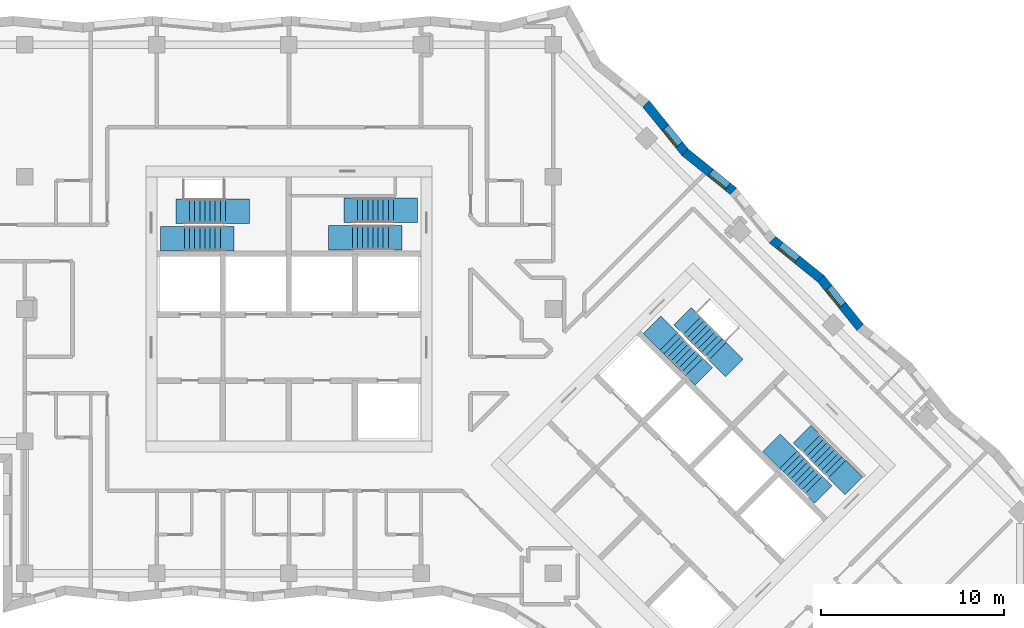
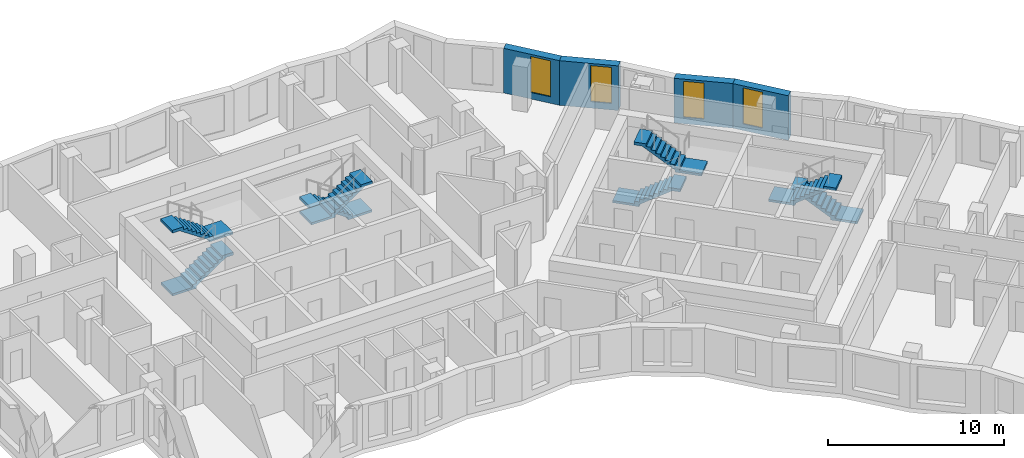
# One storey, part 10 of 12: 8 stair flights, 4 walls, 4 windows, 4 openings, 4 elements without a shape of their own.
"""IFC4 building model written with IfcOpenShell, lengths in metres."""

from ifc_helpers import new_model, si_unit, direction, frame, frame_2d, origin, place, context, subcontext, project, spatial, polyline, rectangle, outline, extrude, material, layer, layer_set, type_object, element, fill, aggregate, save


model = new_model("IFC4")

# Units and contexts
model_context = context("Model", 3, precision=1e-05, world=origin(), true_north=direction((0.0, 1.0)))
body_context = subcontext(model_context, "Body", "Model", "MODEL_VIEW")
ifc_project = project(units=[si_unit("LENGTHUNIT", "METRE"), si_unit("AREAUNIT", "SQUARE_METRE"), si_unit("VOLUMEUNIT", "CUBIC_METRE"), si_unit("PLANEANGLEUNIT", "RADIAN"), si_unit("MASSUNIT", "GRAM", prefix="KILO")], contexts=[model_context])

# Site, building, storey
site_placement = place(None, origin())
site = spatial("IfcSite", under=ifc_project, at=site_placement, CompositionType="ELEMENT")
building_placement = place(site_placement, origin())
building = spatial("IfcBuilding", under=site, at=building_placement, Name="Windrow Commons", CompositionType="ELEMENT")
storey_placement = place(building_placement, frame((0.0, 0.0, 142.2)))
storey = spatial("IfcBuildingStorey", under=building, at=storey_placement, Name="L38", CompositionType="ELEMENT", Elevation=142.2)

# Wall, opening, window
ifc_material_1 = material(Name="Brick masonry, red clay brick", Category="masonry")
ifc_layer = layer(ifc_material_1, 0.5)
ifc_layer_set = layer_set([ifc_layer], Name="Brick facade wall 500")
wall_type = type_object("IfcWallType", Name="Brick facade wall 500", PredefinedType="SOLIDWALL", material=ifc_layer_set)
wall_1_placement = place(storey_placement, frame((95.9412, 56.6003, 0.0), z_axis=(0.0, 0.0, 1.0), x_axis=(-0.6278699325, 0.7783182818, 0.0)))
wall_1 = element("IfcWall", 1, at=wall_1_placement, inside=storey, type_object=wall_type, Name="Brick facade wall L38 12", PredefinedType="SOLIDWALL", context=body_context, shape_type="SweptSolid", body=[
    extrude(outline(polyline([(0.0267, -0.25), (3.4206, -0.25), (3.3671, 0.25), (-0.0267, 0.25), (0.0267, -0.25)])), origin(), (0.0, 0.0, 1.0), 3.1),
])
opening_1_placement = place(wall_1_placement, frame((1.5503, 0.0, 0.45)))
opening_1 = element("IfcOpeningElement", 2, at=opening_1_placement, cuts=wall_1, Name="Opening W7E", PredefinedType="OPENING", context=body_context, shape_type="SweptSolid", body=[
    extrude(rectangle(XDim=1.2, YDim=2.5, at=frame_2d((0.6, 1.25))), frame((0.0, 0.26, 0.0), z_axis=(0.0, -1.0, 0.0), x_axis=(1.0, 0.0, 0.0)), (0.0, 0.0, 1.0), 0.52),
])
ifc_material_2 = material(Name="Clear float glass in anodised aluminium frame", Category="aluminium")
window_type = type_object("IfcWindowType", Name="Window W7 notch 1200x2500", PartitioningType="SINGLE_PANEL", PredefinedType="WINDOW", material=ifc_material_2)
window_1_placement = place(opening_1_placement, origin())
window_1 = element("IfcWindow", 3, at=window_1_placement, inside=storey, type_object=window_type, Name="Window L38 12.1", OverallHeight=2.5, OverallWidth=1.2, PartitioningType="SINGLE_PANEL", PredefinedType="WINDOW", context=body_context, shape_type="SweptSolid", body=[
    extrude(rectangle(XDim=1.2, YDim=2.5, at=frame_2d((0.6, 1.25))), frame((0.0, 0.18, 0.0), z_axis=(0.0, -1.0, 0.0), x_axis=(1.0, 0.0, 0.0)), (0.0, 0.0, 1.0), 0.06),
])
fill(opening_1, window_1)

wall_2_placement = place(storey_placement, frame((93.8103, 59.2418, 0.0), z_axis=(0.0, 0.0, 1.0), x_axis=(-0.7783182818, 0.6278699325, 0.0)))
wall_2 = element("IfcWall", 4, at=wall_2_placement, inside=storey, type_object=wall_type, Name="Brick facade wall L38 13", PredefinedType="SOLIDWALL", context=body_context, shape_type="SweptSolid", body=[
    extrude(outline(polyline([(-0.0267, -0.25), (3.3671, -0.25), (3.4206, 0.25), (0.0267, 0.25), (-0.0267, -0.25)])), origin(), (0.0, 0.0, 1.0), 3.1),
])
opening_2_placement = place(wall_2_placement, frame((1.677, 0.0, 0.45)))
opening_2 = element("IfcOpeningElement", 5, at=opening_2_placement, cuts=wall_2, Name="Opening W7E", PredefinedType="OPENING", context=body_context, shape_type="SweptSolid", body=[
    extrude(rectangle(XDim=1.2, YDim=2.5, at=frame_2d((0.6, 1.25))), frame((0.0, 0.26, 0.0), z_axis=(0.0, -1.0, 0.0), x_axis=(1.0, 0.0, 0.0)), (0.0, 0.0, 1.0), 0.52),
])
window_2_placement = place(opening_2_placement, origin())
window_2 = element("IfcWindow", 6, at=window_2_placement, inside=storey, type_object=window_type, Name="Window L38 13.1", OverallHeight=2.5, OverallWidth=1.2, PartitioningType="SINGLE_PANEL", PredefinedType="WINDOW", context=body_context, shape_type="SweptSolid", body=[
    extrude(rectangle(XDim=1.2, YDim=2.5, at=frame_2d((0.6, 1.25))), frame((0.0, 0.18, 0.0), z_axis=(0.0, -1.0, 0.0), x_axis=(1.0, 0.0, 0.0)), (0.0, 0.0, 1.0), 0.06),
])
fill(opening_2, window_2)

wall_3_placement = place(storey_placement, frame((89.0379, 64.0142, 0.0), z_axis=(0.0, 0.0, 1.0), x_axis=(-0.7783182818, 0.6278699325, 0.0)))
wall_3 = element("IfcWall", 7, at=wall_3_placement, inside=storey, type_object=wall_type, Name="Brick facade wall L38 15", PredefinedType="SOLIDWALL", context=body_context, shape_type="SweptSolid", body=[
    extrude(outline(polyline([(-0.0267, -0.25), (3.3671, -0.25), (3.4206, 0.25), (0.0267, 0.25), (-0.0267, -0.25)])), origin(), (0.0, 0.0, 1.0), 3.1),
])
opening_3_placement = place(wall_3_placement, frame((0.4202, 0.0, 0.45)))
opening_3 = element("IfcOpeningElement", 8, at=opening_3_placement, cuts=wall_3, Name="Opening W7E", PredefinedType="OPENING", context=body_context, shape_type="SweptSolid", body=[
    extrude(rectangle(XDim=1.2, YDim=2.5, at=frame_2d((0.6, 1.25))), frame((0.0, 0.26, 0.0), z_axis=(0.0, -1.0, 0.0), x_axis=(1.0, 0.0, 0.0)), (0.0, 0.0, 1.0), 0.52),
])
window_3_placement = place(opening_3_placement, origin())
window_3 = element("IfcWindow", 9, at=window_3_placement, inside=storey, type_object=window_type, Name="Window L38 15.1", OverallHeight=2.5, OverallWidth=1.2, PartitioningType="SINGLE_PANEL", PredefinedType="WINDOW", context=body_context, shape_type="SweptSolid", body=[
    extrude(rectangle(XDim=1.2, YDim=2.5, at=frame_2d((0.6, 1.25))), frame((0.0, 0.18, 0.0), z_axis=(0.0, -1.0, 0.0), x_axis=(1.0, 0.0, 0.0)), (0.0, 0.0, 1.0), 0.06),
])
fill(opening_3, window_3)

wall_4_placement = place(storey_placement, frame((86.3964, 66.1451, 0.0), z_axis=(0.0, 0.0, 1.0), x_axis=(-0.6278699325, 0.7783182818, 0.0)))
wall_4 = element("IfcWall", 10, at=wall_4_placement, inside=storey, type_object=wall_type, Name="Brick facade wall L38 16", PredefinedType="SOLIDWALL", context=body_context, shape_type="SweptSolid", body=[
    extrude(outline(polyline([(0.0267, -0.25), (3.4206, -0.25), (3.3671, 0.25), (-0.0267, 0.25), (0.0267, -0.25)])), origin(), (0.0, 0.0, 1.0), 3.1),
])
opening_4_placement = place(wall_4_placement, frame((0.5201, 0.0, 0.45)))
opening_4 = element("IfcOpeningElement", 11, at=opening_4_placement, cuts=wall_4, Name="Opening W7E", PredefinedType="OPENING", context=body_context, shape_type="SweptSolid", body=[
    extrude(rectangle(XDim=1.2, YDim=2.5, at=frame_2d((0.6, 1.25))), frame((0.0, 0.26, 0.0), z_axis=(0.0, -1.0, 0.0), x_axis=(1.0, 0.0, 0.0)), (0.0, 0.0, 1.0), 0.52),
])
window_4_placement = place(opening_4_placement, origin())
window_4 = element("IfcWindow", 12, at=window_4_placement, inside=storey, type_object=window_type, Name="Window L38 16.1", OverallHeight=2.5, OverallWidth=1.2, PartitioningType="SINGLE_PANEL", PredefinedType="WINDOW", context=body_context, shape_type="SweptSolid", body=[
    extrude(rectangle(XDim=1.2, YDim=2.5, at=frame_2d((0.6, 1.25))), frame((0.0, 0.18, 0.0), z_axis=(0.0, -1.0, 0.0), x_axis=(1.0, 0.0, 0.0)), (0.0, 0.0, 1.0), 0.06),
])
fill(opening_4, window_4)

# Stair, stair flights
ifc_material_3 = material(Name="Concrete C40/50", Category="concrete")
stair_type = type_object("IfcStairType", Name="Core stair", PredefinedType="HALF_TURN_STAIR", material=ifc_material_3)
placement = place(storey_placement, origin())
stair_1 = element("IfcStair", 13, at=placement, inside=storey, type_object=stair_type, Name="L38 Exit stair A1 core A", PredefinedType="HALF_TURN_STAIR")
ifc_material_4 = material(Name="Concrete C40/50", Category="concrete")
stair_flight_type = type_object("IfcStairFlightType", Name="Core stair flight", PredefinedType="STRAIGHT", material=ifc_material_4)
stair_flight_1_placement = place(storey_placement, frame((59.1, 61.425, 0.0), z_axis=(0.0, 0.0, 1.0), x_axis=(1.0, 0.0, 0.0)))
stair_flight_1 = element("IfcStairFlight", 14, at=stair_flight_1_placement, type_object=stair_flight_type, Name="ST-A1 flight 1", NumberOfRisers=9, NumberOfTreads=8, PredefinedType="STRAIGHT", RiserHeight=0.188888889, TreadLength=0.28, context=body_context, shape_type="SweptSolid", body=[
    extrude(outline(polyline([(-1.3, -0.15), (-1.3, 0.0), (0.0, 0.0), (0.0, 0.1889), (0.28, 0.1889), (0.28, 0.3778), (0.56, 0.3778), (0.56, 0.5667), (0.84, 0.5667), (0.84, 0.7556), (1.12, 0.7556), (1.12, 0.9444), (1.4, 0.9444), (1.4, 1.1333), (1.68, 1.1333), (1.68, 1.3222), (1.96, 1.3222), (1.96, 1.5111), (2.24, 1.5111), (2.69, 1.5111), (2.69, 1.3111), (2.24, 1.3111), (2.24, 1.3302), (0.2682, 0.0), (0.2682, -0.15), (-1.3, -0.15)])), frame((0.0, 0.675, 0.0), z_axis=(0.0, -1.0, 0.0), x_axis=(1.0, 0.0, 0.0)), (0.0, 0.0, 1.0), 1.35),
])
stair_flight_2_placement = place(storey_placement, frame((61.34, 62.925, 1.7), z_axis=(0.0, 0.0, 1.0), x_axis=(-1.0, 0.0, 0.0)))
stair_flight_2 = element("IfcStairFlight", 15, at=stair_flight_2_placement, type_object=stair_flight_type, Name="ST-A1 flight 2", NumberOfRisers=9, NumberOfTreads=8, PredefinedType="STRAIGHT", RiserHeight=0.188888889, TreadLength=0.28, context=body_context, shape_type="SweptSolid", body=[
    extrude(outline(polyline([(-1.3, -0.15), (-1.3, 0.0), (0.0, 0.0), (0.0, 0.1889), (0.28, 0.1889), (0.28, 0.3778), (0.56, 0.3778), (0.56, 0.5667), (0.84, 0.5667), (0.84, 0.7556), (1.12, 0.7556), (1.12, 0.9444), (1.4, 0.9444), (1.4, 1.1333), (1.68, 1.1333), (1.68, 1.3222), (1.96, 1.3222), (1.96, 1.5111), (2.24, 1.5111), (2.69, 1.5111), (2.69, 1.3111), (2.24, 1.3111), (2.24, 1.3302), (0.2682, 0.0), (0.2682, -0.15), (-1.3, -0.15)])), frame((0.0, 0.675, 0.0), z_axis=(0.0, -1.0, 0.0), x_axis=(1.0, 0.0, 0.0)), (0.0, 0.0, 1.0), 1.35),
])
aggregate(stair_1, [stair_flight_1, stair_flight_2])

stair_2 = element("IfcStair", 16, at=placement, inside=storey, type_object=stair_type, Name="L38 Exit stair A2 core A", PredefinedType="HALF_TURN_STAIR")
stair_flight_3_placement = place(storey_placement, frame((70.5, 62.98, 0.0), z_axis=(0.0, 0.0, 1.0), x_axis=(-1.0, 0.0, 0.0)))
stair_flight_3 = element("IfcStairFlight", 17, at=stair_flight_3_placement, type_object=stair_flight_type, Name="ST-A2 flight 1", NumberOfRisers=9, NumberOfTreads=8, PredefinedType="STRAIGHT", RiserHeight=0.188888889, TreadLength=0.28, context=body_context, shape_type="SweptSolid", body=[
    extrude(outline(polyline([(-1.3, -0.15), (-1.3, 0.0), (0.0, 0.0), (0.0, 0.1889), (0.28, 0.1889), (0.28, 0.3778), (0.56, 0.3778), (0.56, 0.5667), (0.84, 0.5667), (0.84, 0.7556), (1.12, 0.7556), (1.12, 0.9444), (1.4, 0.9444), (1.4, 1.1333), (1.68, 1.1333), (1.68, 1.3222), (1.96, 1.3222), (1.96, 1.5111), (2.24, 1.5111), (2.69, 1.5111), (2.69, 1.3111), (2.24, 1.3111), (2.24, 1.3302), (0.2682, 0.0), (0.2682, -0.15), (-1.3, -0.15)])), frame((0.0, 0.675, 0.0), z_axis=(0.0, -1.0, 0.0), x_axis=(1.0, 0.0, 0.0)), (0.0, 0.0, 1.0), 1.35),
])
stair_flight_4_placement = place(storey_placement, frame((68.26, 61.48, 1.7), z_axis=(0.0, 0.0, 1.0), x_axis=(1.0, 0.0, 0.0)))
stair_flight_4 = element("IfcStairFlight", 18, at=stair_flight_4_placement, type_object=stair_flight_type, Name="ST-A2 flight 2", NumberOfRisers=9, NumberOfTreads=8, PredefinedType="STRAIGHT", RiserHeight=0.188888889, TreadLength=0.28, context=body_context, shape_type="SweptSolid", body=[
    extrude(outline(polyline([(-1.3, -0.15), (-1.3, 0.0), (0.0, 0.0), (0.0, 0.1889), (0.28, 0.1889), (0.28, 0.3778), (0.56, 0.3778), (0.56, 0.5667), (0.84, 0.5667), (0.84, 0.7556), (1.12, 0.7556), (1.12, 0.9444), (1.4, 0.9444), (1.4, 1.1333), (1.68, 1.1333), (1.68, 1.3222), (1.96, 1.3222), (1.96, 1.5111), (2.24, 1.5111), (2.69, 1.5111), (2.69, 1.3111), (2.24, 1.3111), (2.24, 1.3302), (0.2682, 0.0), (0.2682, -0.15), (-1.3, -0.15)])), frame((0.0, 0.675, 0.0), z_axis=(0.0, -1.0, 0.0), x_axis=(1.0, 0.0, 0.0)), (0.0, 0.0, 1.0), 1.35),
])
aggregate(stair_2, [stair_flight_3, stair_flight_4])

stair_3 = element("IfcStair", 19, at=placement, inside=storey, type_object=stair_type, Name="L38 Exit stair B1 core B", PredefinedType="HALF_TURN_STAIR")
stair_flight_5_placement = place(storey_placement, frame((85.5109, 55.8249, 0.0), z_axis=(0.0, 0.0, 1.0), x_axis=(0.7071067812, -0.7071067812, 0.0)))
stair_flight_5 = element("IfcStairFlight", 20, at=stair_flight_5_placement, type_object=stair_flight_type, Name="ST-B1 flight 1", NumberOfRisers=9, NumberOfTreads=8, PredefinedType="STRAIGHT", RiserHeight=0.188888889, TreadLength=0.28, context=body_context, shape_type="SweptSolid", body=[
    extrude(outline(polyline([(-1.3, -0.15), (-1.3, 0.0), (0.0, 0.0), (0.0, 0.1889), (0.28, 0.1889), (0.28, 0.3778), (0.56, 0.3778), (0.56, 0.5667), (0.84, 0.5667), (0.84, 0.7556), (1.12, 0.7556), (1.12, 0.9444), (1.4, 0.9444), (1.4, 1.1333), (1.68, 1.1333), (1.68, 1.3222), (1.96, 1.3222), (1.96, 1.5111), (2.24, 1.5111), (2.69, 1.5111), (2.69, 1.3111), (2.24, 1.3111), (2.24, 1.3302), (0.2682, 0.0), (0.2682, -0.15), (-1.3, -0.15)])), frame((0.0, 0.675, 0.0), z_axis=(0.0, -1.0, 0.0), x_axis=(1.0, 0.0, 0.0)), (0.0, 0.0, 1.0), 1.35),
])
stair_flight_6_placement = place(storey_placement, frame((88.1555, 55.3017, 1.7), z_axis=(0.0, 0.0, 1.0), x_axis=(-0.7071067812, 0.7071067812, 0.0)))
stair_flight_6 = element("IfcStairFlight", 21, at=stair_flight_6_placement, type_object=stair_flight_type, Name="ST-B1 flight 2", NumberOfRisers=9, NumberOfTreads=8, PredefinedType="STRAIGHT", RiserHeight=0.188888889, TreadLength=0.28, context=body_context, shape_type="SweptSolid", body=[
    extrude(outline(polyline([(-1.3, -0.15), (-1.3, 0.0), (0.0, 0.0), (0.0, 0.1889), (0.28, 0.1889), (0.28, 0.3778), (0.56, 0.3778), (0.56, 0.5667), (0.84, 0.5667), (0.84, 0.7556), (1.12, 0.7556), (1.12, 0.9444), (1.4, 0.9444), (1.4, 1.1333), (1.68, 1.1333), (1.68, 1.3222), (1.96, 1.3222), (1.96, 1.5111), (2.24, 1.5111), (2.69, 1.5111), (2.69, 1.3111), (2.24, 1.3111), (2.24, 1.3302), (0.2682, 0.0), (0.2682, -0.15), (-1.3, -0.15)])), frame((0.0, 0.675, 0.0), z_axis=(0.0, -1.0, 0.0), x_axis=(1.0, 0.0, 0.0)), (0.0, 0.0, 1.0), 1.35),
])
aggregate(stair_3, [stair_flight_5, stair_flight_6])

stair_4 = element("IfcStair", 22, at=placement, inside=storey, type_object=stair_type, Name="L38 Exit stair B2 core B", PredefinedType="HALF_TURN_STAIR")
stair_flight_7_placement = place(storey_placement, frame((94.6715, 48.8635, 0.0), z_axis=(0.0, 0.0, 1.0), x_axis=(-0.7071067812, 0.7071067812, 0.0)))
stair_flight_7 = element("IfcStairFlight", 23, at=stair_flight_7_placement, type_object=stair_flight_type, Name="ST-B2 flight 1", NumberOfRisers=9, NumberOfTreads=8, PredefinedType="STRAIGHT", RiserHeight=0.188888889, TreadLength=0.28, context=body_context, shape_type="SweptSolid", body=[
    extrude(outline(polyline([(-1.3, -0.15), (-1.3, 0.0), (0.0, 0.0), (0.0, 0.1889), (0.28, 0.1889), (0.28, 0.3778), (0.56, 0.3778), (0.56, 0.5667), (0.84, 0.5667), (0.84, 0.7556), (1.12, 0.7556), (1.12, 0.9444), (1.4, 0.9444), (1.4, 1.1333), (1.68, 1.1333), (1.68, 1.3222), (1.96, 1.3222), (1.96, 1.5111), (2.24, 1.5111), (2.69, 1.5111), (2.69, 1.3111), (2.24, 1.3111), (2.24, 1.3302), (0.2682, 0.0), (0.2682, -0.15), (-1.3, -0.15)])), frame((0.0, 0.675, 0.0), z_axis=(0.0, -1.0, 0.0), x_axis=(1.0, 0.0, 0.0)), (0.0, 0.0, 1.0), 1.35),
])
stair_flight_8_placement = place(storey_placement, frame((92.0269, 49.3867, 1.7), z_axis=(0.0, 0.0, 1.0), x_axis=(0.7071067812, -0.7071067812, 0.0)))
stair_flight_8 = element("IfcStairFlight", 24, at=stair_flight_8_placement, type_object=stair_flight_type, Name="ST-B2 flight 2", NumberOfRisers=9, NumberOfTreads=8, PredefinedType="STRAIGHT", RiserHeight=0.188888889, TreadLength=0.28, context=body_context, shape_type="SweptSolid", body=[
    extrude(outline(polyline([(-1.3, -0.15), (-1.3, 0.0), (0.0, 0.0), (0.0, 0.1889), (0.28, 0.1889), (0.28, 0.3778), (0.56, 0.3778), (0.56, 0.5667), (0.84, 0.5667), (0.84, 0.7556), (1.12, 0.7556), (1.12, 0.9444), (1.4, 0.9444), (1.4, 1.1333), (1.68, 1.1333), (1.68, 1.3222), (1.96, 1.3222), (1.96, 1.5111), (2.24, 1.5111), (2.69, 1.5111), (2.69, 1.3111), (2.24, 1.3111), (2.24, 1.3302), (0.2682, 0.0), (0.2682, -0.15), (-1.3, -0.15)])), frame((0.0, 0.675, 0.0), z_axis=(0.0, -1.0, 0.0), x_axis=(1.0, 0.0, 0.0)), (0.0, 0.0, 1.0), 1.35),
])
aggregate(stair_4, [stair_flight_7, stair_flight_8])

save(model, "model.ifc")
